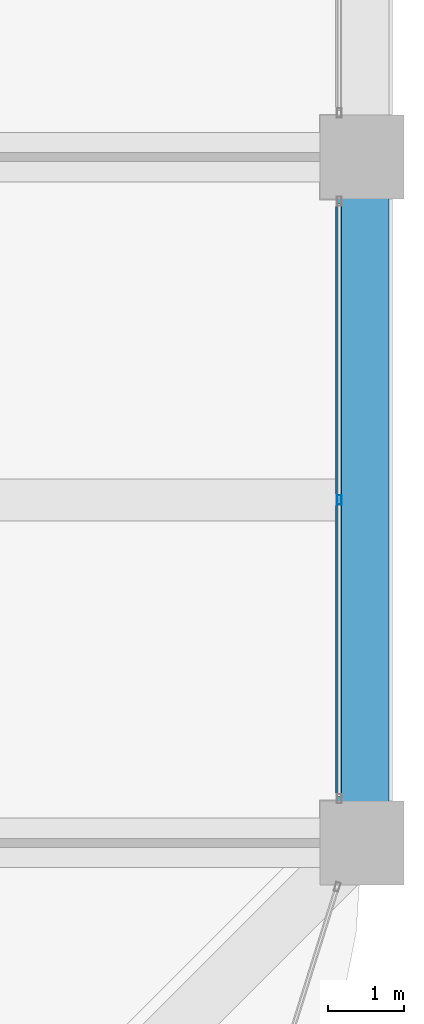
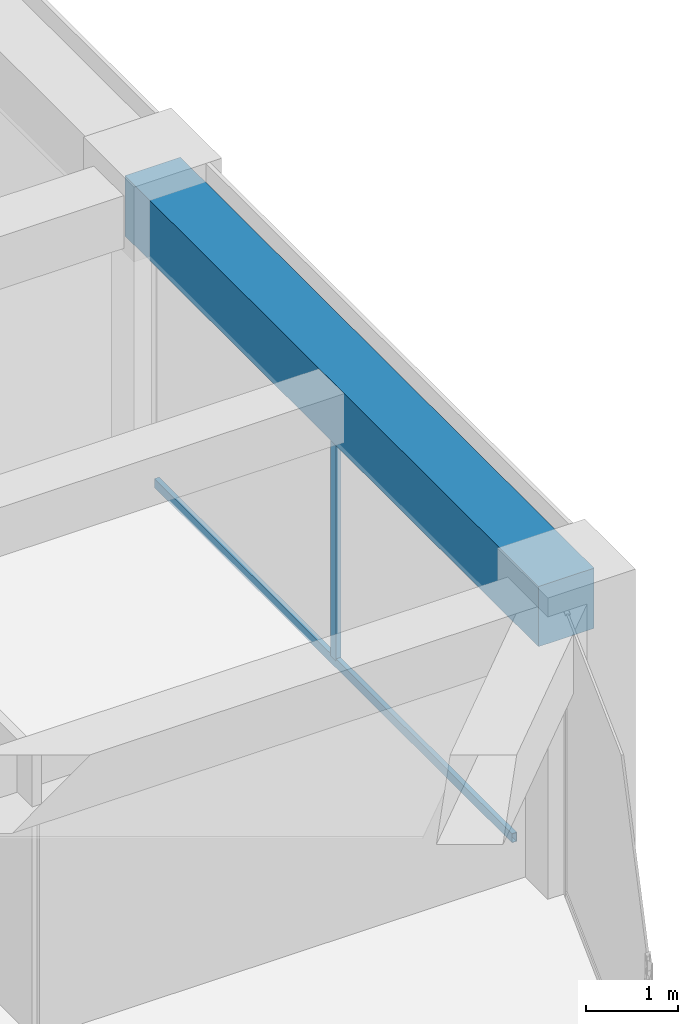
# One storey, part 23 of 44: 2 members, 1 beam, 1 element without a shape of its own.
"""IFC4 building model written with IfcOpenShell, lengths in metres."""

from ifc_helpers import new_model, si_unit, direction, frame, origin, origin_2d, place, context, subcontext, project, spatial, rectangle, hollow_rectangle, extrude, material, material_profile, profile_set, type_object, element, aggregate, save


model = new_model("IFC4")

# Units and contexts
model_context = context("Model", 3, precision=1e-05, world=origin(), true_north=direction((0.0, 1.0)))
body_context = subcontext(model_context, "Body", "Model", "MODEL_VIEW")
ifc_project = project(units=[si_unit("LENGTHUNIT", "METRE"), si_unit("AREAUNIT", "SQUARE_METRE"), si_unit("VOLUMEUNIT", "CUBIC_METRE"), si_unit("PLANEANGLEUNIT", "RADIAN"), si_unit("MASSUNIT", "GRAM", prefix="KILO")], contexts=[model_context])

# Site, building, storey
site_placement = place(None, origin())
site = spatial("IfcSite", under=ifc_project, at=site_placement, CompositionType="ELEMENT")
building_placement = place(site_placement, origin())
building = spatial("IfcBuilding", under=site, at=building_placement, Name="Zorevar Civic Tower", CompositionType="ELEMENT")
storey_placement = place(building_placement, frame((0.0, 0.0, 251.39990234375)))
storey = spatial("IfcBuildingStorey", under=building, at=storey_placement, Name="L61", CompositionType="ELEMENT", Elevation=251.39990234375)

# Curtain wall, members
ifc_material_1 = material(Name="Dark grey solar-control glass in black aluminium frame", Category="aluminium")
curtain_wall_type = type_object("IfcCurtainWallType", Name="Curtain wall CW5 top zone", PredefinedType="NOTDEFINED", material=ifc_material_1)
curtain_wall_placement = place(storey_placement, origin())
curtain_wall = element("IfcCurtainWall", 1, at=curtain_wall_placement, inside=storey, type_object=curtain_wall_type, Name="CW5 L61", PredefinedType="NOTDEFINED")
ifc_material_2 = material(Name="Aluminium, black anodised", Category="aluminium")
ifc_material_profile_1 = material_profile(ifc_material_2, hollow_rectangle(XDim=0.06005859375, YDim=0.1201171875, WallThickness=0.0029296875, at=origin_2d()), Name="AL 120x60x3")
ifc_profile_set_1 = profile_set([ifc_material_profile_1], Name="Aluminium, black anodised")
member_type_1 = type_object("IfcMemberType", Name="CW5 mullion AL 120x60x3", PredefinedType="MULLION", material=ifc_profile_set_1)
member_1_placement = place(storey_placement, frame((53.699951171875, 13.5, 0.06005859375), z_axis=(0.0, 0.0, 1.0), x_axis=(-1.0, 0.0, 0.0)))
member_1 = element("IfcMember", 2, at=member_1_placement, type_object=member_type_1, Name="CW5 mullion 2", PredefinedType="MULLION", context=body_context, shape_type="SweptSolid", body=[
    extrude(hollow_rectangle(XDim=0.06005859375, YDim=0.1201171875, WallThickness=0.0029296875, at=origin_2d()), origin(), (0.0, 0.0, 1.0), 2.89013671875),
])
ifc_material_3 = material(Name="Aluminium, black anodised", Category="aluminium")
ifc_material_profile_2 = material_profile(ifc_material_3, hollow_rectangle(XDim=0.06005859375, YDim=0.1201171875, WallThickness=0.0029296875, at=origin_2d()), Name="AL 120x60x3")
ifc_profile_set_2 = profile_set([ifc_material_profile_2], Name="Aluminium, black anodised")
member_type_2 = type_object("IfcMemberType", Name="CW5 transom AL 120x60x3", PredefinedType="USERDEFINED", material=ifc_profile_set_2)
member_2_placement = place(storey_placement, frame((53.699951171875, 9.610107421875, 0.030029296875), z_axis=(0.0, 1.0, 0.0), x_axis=(-1.0, 0.0, 0.0)))
member_2 = element("IfcMember", 3, at=member_2_placement, type_object=member_type_2, Name="CW5 sill transom", ObjectType="TRANSOM", PredefinedType="USERDEFINED", context=body_context, shape_type="SweptSolid", body=[
    extrude(hollow_rectangle(XDim=0.06005859375, YDim=0.1201171875, WallThickness=0.0029296875, at=origin_2d()), origin(), (0.0, 0.0, 1.0), 7.77978515625),
])
aggregate(curtain_wall, [member_1, member_2])

# Beam
ifc_material_4 = material(Name="Concrete C50/60", Category="concrete")
ifc_material_profile_3 = material_profile(ifc_material_4, rectangle(XDim=0.699951171875, YDim=0.800048828125, at=origin_2d()), Name="RC 700x800")
ifc_profile_set_3 = profile_set([ifc_material_profile_3], Name="Concrete C50/60")
beam_type = type_object("IfcBeamType", Name="Edge beam RC 700x800", PredefinedType="SPANDREL", material=ifc_profile_set_3)
beam_placement = place(storey_placement, frame((54.0, 9.0, 3.35009765625), z_axis=(0.0, 1.0, 0.0), x_axis=(-1.0, 0.0, 0.0)))
element("IfcBeam", 4, at=beam_placement, inside=storey, type_object=beam_type, Name="Edge beam L62", PredefinedType="SPANDREL", context=body_context, shape_type="SweptSolid", body=[
    extrude(rectangle(XDim=0.699951171875, YDim=0.800048828125, at=origin_2d()), origin(), (0.0, 0.0, 1.0), 9.0),
])

save(model, "model.ifc")
